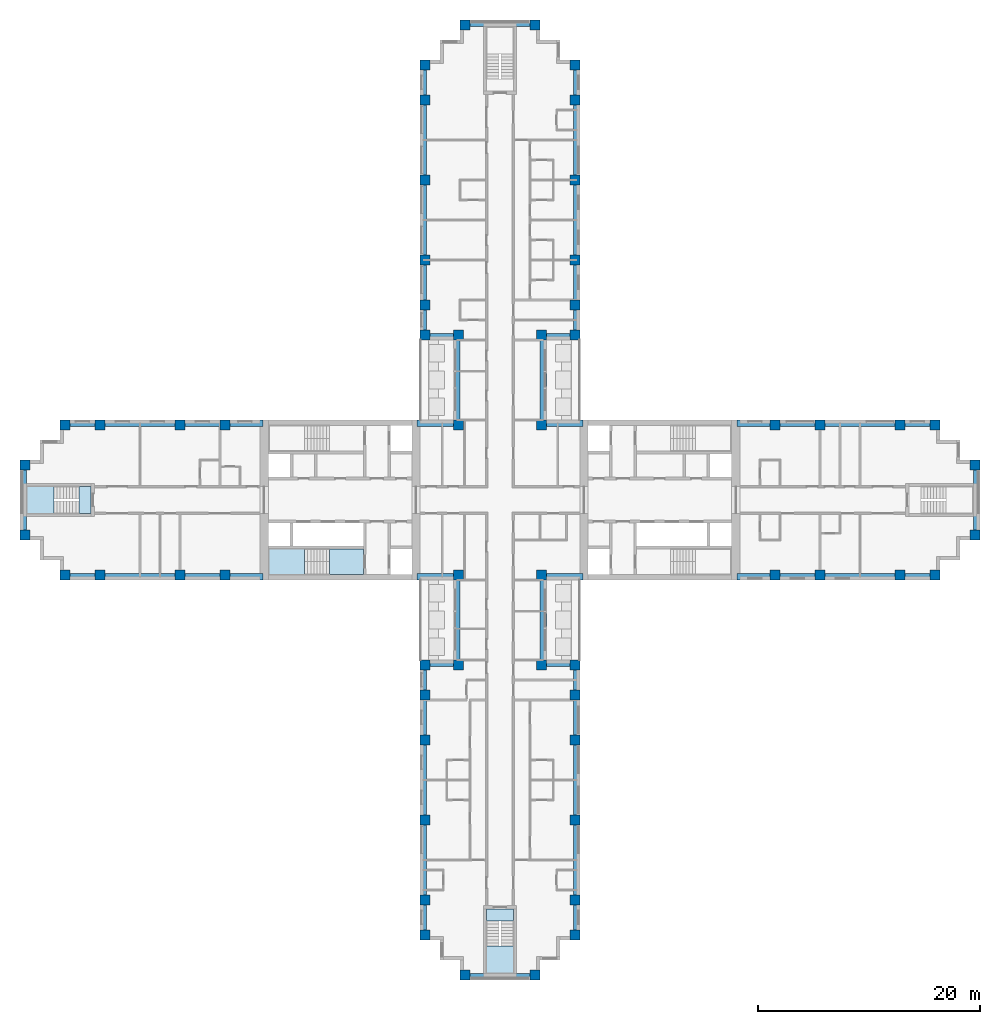
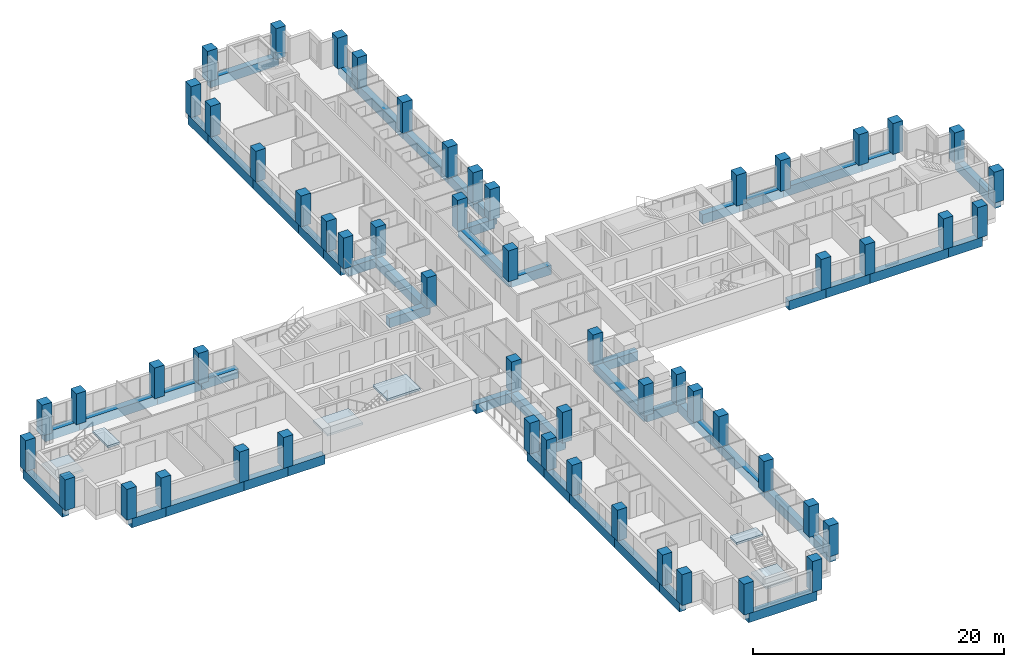
# One storey, part 1 of 15: 56 columns, 52 beams, 6 slabs, 3 elements without a shape of their own.
"""IFC4 building model written with IfcOpenShell, lengths in metres."""

from ifc_helpers import new_model, si_unit, direction, frame, origin, origin_2d, place, context, subcontext, project, spatial, polyline, rectangle, outline, extrude, material, layer, layer_set, material_profile, profile_set, type_object, element, aggregate, save


model = new_model("IFC4")

# Units and contexts
model_context = context("Model", 3, precision=1e-05, world=origin(), true_north=direction((0.0, 1.0)))
body_context = subcontext(model_context, "Body", "Model", "MODEL_VIEW")
ifc_project = project(units=[si_unit("LENGTHUNIT", "METRE"), si_unit("AREAUNIT", "SQUARE_METRE"), si_unit("VOLUMEUNIT", "CUBIC_METRE"), si_unit("PLANEANGLEUNIT", "RADIAN"), si_unit("MASSUNIT", "GRAM", prefix="KILO")], contexts=[model_context])

# Site, building, storey
site_placement = place(None, origin())
site = spatial("IfcSite", under=ifc_project, at=site_placement, CompositionType="ELEMENT")
building_placement = place(site_placement, origin())
building = spatial("IfcBuilding", under=site, at=building_placement, Name="Fustian Cross Tower", CompositionType="ELEMENT")
storey_placement = place(building_placement, frame((0.0, 0.0, 53.699951171875)))
storey = spatial("IfcBuildingStorey", under=building, at=storey_placement, Name="L16", CompositionType="ELEMENT", Elevation=53.699951171875)

# Columns
ifc_material_1 = material(Name="Concrete C70/85", Category="concrete")
ifc_material_profile_1 = material_profile(ifc_material_1, rectangle(XDim=0.89990234375, YDim=0.89990234375, at=origin_2d()), Name="RC 900x900")
ifc_profile_set_1 = profile_set([ifc_material_profile_1], Name="Concrete C70/85")
column_type = type_object("IfcColumnType", Name="COLUMN RC 900x900 C70/85", PredefinedType="COLUMN", material=ifc_profile_set_1)
for number, where, z_axis, x_axis, name in (
    (1, (-42.75, -3.14990234375, 0.0), (0.0, 0.0, 1.0), (1.0, 0.0, 0.0), "COLUMN 001"),
    (2, (-42.75, 3.14990234375, 0.0), (0.0, 0.0, 1.0), (1.0, 0.0, 0.0), "COLUMN 002"),
    (3, (-39.14990234375, -6.75, 0.0), (0.0, 0.0, 1.0), (1.0, 0.0, 0.0), "COLUMN 003"),
    (4, (-39.14990234375, 6.75, 0.0), (0.0, 0.0, 1.0), (1.0, 0.0, 0.0), "COLUMN 004"),
    (5, (-36.0, -6.75, 0.0), (0.0, 0.0, 1.0), (1.0, 0.0, 0.0), "COLUMN 005"),
    (6, (-36.0, 6.75, 0.0), (0.0, 0.0, 1.0), (1.0, 0.0, 0.0), "COLUMN 006"),
    (7, (-28.800048828125, -6.75, 0.0), (0.0, 0.0, 1.0), (1.0, 0.0, 0.0), "COLUMN 007"),
    (8, (-28.800048828125, 6.75, 0.0), (0.0, 0.0, 1.0), (1.0, 0.0, 0.0), "COLUMN 010"),
    (9, (-24.75, -6.75, 0.0), (0.0, 0.0, 1.0), (1.0, 0.0, 0.0), "COLUMN 011"),
    (10, (-24.75, 6.75, 0.0), (0.0, 0.0, 1.0), (1.0, 0.0, 0.0), "COLUMN 012"),
    (11, (-6.75, -39.14990234375, 0.0), (0.0, 0.0, 1.0), (1.0, 0.0, 0.0), "COLUMN 013"),
    (12, (-6.75, -36.0, 0.0), (0.0, 0.0, 1.0), (1.0, 0.0, 0.0), "COLUMN 014"),
    (13, (-6.75, -28.800048828125, 0.0), (0.0, 0.0, 1.0), (1.0, 0.0, 0.0), "COLUMN 015"),
    (14, (-6.75, -21.60009765625, 0.0), (0.0, 0.0, 1.0), (1.0, 0.0, 0.0), "COLUMN 016"),
    (15, (-6.75, -17.550048828125, 0.0), (0.0, 0.0, 1.0), (1.0, 0.0, 0.0), "COLUMN 017"),
    (16, (-6.75, -14.85009765625, 0.0), (0.0, 0.0, 1.0), (1.0, 0.0, 0.0), "COLUMN 018"),
    (17, (-6.75, 14.85009765625, 0.0), (0.0, 0.0, 1.0), (1.0, 0.0, 0.0), "COLUMN 019"),
    (18, (-6.75, 17.550048828125, 0.0), (0.0, 0.0, 1.0), (1.0, 0.0, 0.0), "COLUMN 020"),
    (19, (-6.75, 21.60009765625, 0.0), (0.0, 0.0, 1.0), (1.0, 0.0, 0.0), "COLUMN 021"),
    (20, (-6.75, 28.800048828125, 0.0), (0.0, 0.0, 1.0), (1.0, 0.0, 0.0), "COLUMN 022"),
    (21, (-6.75, 36.0, 0.0), (0.0, 0.0, 1.0), (1.0, 0.0, 0.0), "COLUMN 023"),
    (22, (-6.75, 39.14990234375, 0.0), (0.0, 0.0, 1.0), (1.0, 0.0, 0.0), "COLUMN 024"),
    (23, (-3.75, -14.85009765625, 0.0), (0.0, 0.0, 1.0), (1.0, 0.0, 0.0), "COLUMN 025"),
    (24, (-3.75, -6.75, 0.0), (0.0, 0.0, 1.0), (1.0, 0.0, 0.0), "COLUMN 026"),
    (25, (-3.75, 6.75, 0.0), (0.0, 0.0, 1.0), (1.0, 0.0, 0.0), "COLUMN 027"),
    (26, (-3.75, 14.85009765625, 0.0), (0.0, 0.0, 1.0), (1.0, 0.0, 0.0), "COLUMN 028"),
    (27, (-3.14990234375, -42.75, 0.0), (0.0, 0.0, 1.0), (1.0, 0.0, 0.0), "COLUMN 029"),
    (28, (-3.14990234375, 42.75, 0.0), (0.0, 0.0, 1.0), (1.0, 0.0, 0.0), "COLUMN 032"),
    (29, (3.14990234375, -42.75, 0.0), (0.0, 0.0, 1.0), (1.0, 0.0, 0.0), "COLUMN 033"),
    (30, (3.14990234375, 42.75, 0.0), (0.0, 0.0, 1.0), (1.0, 0.0, 0.0), "COLUMN 036"),
    (31, (3.75, -14.85009765625, 0.0), (0.0, 0.0, 1.0), (1.0, 0.0, 0.0), "COLUMN 037"),
    (32, (3.75, -6.75, 0.0), (0.0, 0.0, 1.0), (1.0, 0.0, 0.0), "COLUMN 038"),
    (33, (3.75, 6.75, 0.0), (0.0, 0.0, 1.0), (1.0, 0.0, 0.0), "COLUMN 039"),
    (34, (3.75, 14.85009765625, 0.0), (0.0, 0.0, 1.0), (1.0, 0.0, 0.0), "COLUMN 040"),
    (35, (6.75, -39.14990234375, 0.0), (0.0, 0.0, 1.0), (1.0, 0.0, 0.0), "COLUMN 041"),
    (36, (6.75, -36.0, 0.0), (0.0, 0.0, 1.0), (1.0, 0.0, 0.0), "COLUMN 042"),
    (37, (6.75, -28.800048828125, 0.0), (0.0, 0.0, 1.0), (1.0, 0.0, 0.0), "COLUMN 043"),
    (38, (6.75, -21.60009765625, 0.0), (0.0, 0.0, 1.0), (1.0, 0.0, 0.0), "COLUMN 044"),
    (39, (6.75, -17.550048828125, 0.0), (0.0, 0.0, 1.0), (1.0, 0.0, 0.0), "COLUMN 045"),
    (40, (6.75, -14.85009765625, 0.0), (0.0, 0.0, 1.0), (1.0, 0.0, 0.0), "COLUMN 046"),
    (41, (6.75, 14.85009765625, 0.0), (0.0, 0.0, 1.0), (1.0, 0.0, 0.0), "COLUMN 047"),
    (42, (6.75, 17.550048828125, 0.0), (0.0, 0.0, 1.0), (1.0, 0.0, 0.0), "COLUMN 048"),
    (43, (6.75, 21.60009765625, 0.0), (0.0, 0.0, 1.0), (1.0, 0.0, 0.0), "COLUMN 049"),
    (44, (6.75, 28.800048828125, 0.0), (0.0, 0.0, 1.0), (1.0, 0.0, 0.0), "COLUMN 050"),
    (45, (6.75, 36.0, 0.0), (0.0, 0.0, 1.0), (1.0, 0.0, 0.0), "COLUMN 051"),
    (46, (6.75, 39.14990234375, 0.0), (0.0, 0.0, 1.0), (1.0, 0.0, 0.0), "COLUMN 052"),
    (47, (24.75, -6.75, 0.0), (0.0, 0.0, 1.0), (1.0, 0.0, 0.0), "COLUMN 053"),
    (48, (24.75, 6.75, 0.0), (0.0, 0.0, 1.0), (1.0, 0.0, 0.0), "COLUMN 054"),
    (49, (28.800048828125, -6.75, 0.0), (0.0, 0.0, 1.0), (1.0, 0.0, 0.0), "COLUMN 055"),
    (50, (28.800048828125, 6.75, 0.0), (0.0, 0.0, 1.0), (1.0, 0.0, 0.0), "COLUMN 058"),
    (51, (36.0, -6.75, 0.0), (0.0, 0.0, 1.0), (1.0, 0.0, 0.0), "COLUMN 059"),
    (52, (36.0, 6.75, 0.0), (0.0, 0.0, 1.0), (1.0, 0.0, 0.0), "COLUMN 060"),
    (53, (39.14990234375, -6.75, 0.0), (0.0, 0.0, 1.0), (1.0, 0.0, 0.0), "COLUMN 061"),
    (54, (39.14990234375, 6.75, 0.0), (0.0, 0.0, 1.0), (1.0, 0.0, 0.0), "COLUMN 062"),
    (55, (42.75, -3.14990234375, 0.0), (0.0, 0.0, 1.0), (1.0, 0.0, 0.0), "COLUMN 063"),
    (56, (42.75, 3.14990234375, 0.0), (0.0, 0.0, 1.0), (1.0, 0.0, 0.0), "COLUMN 064"),
):
    element("IfcColumn", number, at=place(storey_placement, frame(where, z_axis=z_axis, x_axis=x_axis)), inside=storey, type_object=column_type, Name=name, PredefinedType="COLUMN", context=body_context, shape_type="SweptSolid", body=[
        extrude(rectangle(XDim=0.89990234375, YDim=0.89990234375, at=origin_2d()), origin(), (0.0, 0.0, 1.0), 3.0),
    ])

# Beams
ifc_material_2 = material(Name="Concrete C50/60", Category="concrete")
ifc_material_profile_2 = material_profile(ifc_material_2, rectangle(XDim=0.60009765625, YDim=0.89990234375, at=origin_2d()), Name="RC 600x900")
ifc_profile_set_2 = profile_set([ifc_material_profile_2], Name="Concrete C50/60")
beam_type = type_object("IfcBeamType", Name="EDGE BEAM RC 600x900 C50/60", PredefinedType="SPANDREL", material=ifc_profile_set_2)
beam_1_placement = place(storey_placement, frame((21.35009765625, -6.89990234375, -0.449951171875), z_axis=(1.0, 0.0, 0.0), x_axis=(0.0, 1.0, 0.0)))
element("IfcBeam", 57, at=beam_1_placement, inside=storey, type_object=beam_type, Name="EDGE BEAM L16-01", PredefinedType="SPANDREL", context=body_context, shape_type="SweptSolid", body=[
    extrude(rectangle(XDim=0.60009765625, YDim=0.89990234375, at=origin_2d()), origin(), (0.0, 0.0, 1.0), 3.39990234375),
])
beam_2_placement = place(storey_placement, frame((24.75, -6.89990234375, -0.449951171875), z_axis=(1.0, 0.0, 0.0), x_axis=(0.0, 1.0, 0.0)))
element("IfcBeam", 58, at=beam_2_placement, inside=storey, type_object=beam_type, Name="EDGE BEAM L16-02", PredefinedType="SPANDREL", context=body_context, shape_type="SweptSolid", body=[
    extrude(rectangle(XDim=0.60009765625, YDim=0.89990234375, at=origin_2d()), origin(), (0.0, 0.0, 1.0), 4.050048828125),
])
beam_3_placement = place(storey_placement, frame((28.800048828125, -6.89990234375, -0.449951171875), z_axis=(1.0, 0.0, 0.0), x_axis=(0.0, 1.0, 0.0)))
element("IfcBeam", 59, at=beam_3_placement, inside=storey, type_object=beam_type, Name="EDGE BEAM L16-03", PredefinedType="SPANDREL", context=body_context, shape_type="SweptSolid", body=[
    extrude(rectangle(XDim=0.60009765625, YDim=0.89990234375, at=origin_2d()), origin(), (0.0, 0.0, 1.0), 7.199951171875),
])
beam_4_placement = place(storey_placement, frame((36.0, -6.89990234375, -0.449951171875), z_axis=(1.0, 0.0, 0.0), x_axis=(0.0, 1.0, 0.0)))
element("IfcBeam", 60, at=beam_4_placement, inside=storey, type_object=beam_type, Name="EDGE BEAM L16-04", PredefinedType="SPANDREL", context=body_context, shape_type="SweptSolid", body=[
    extrude(rectangle(XDim=0.60009765625, YDim=0.89990234375, at=origin_2d()), origin(), (0.0, 0.0, 1.0), 3.14990234375),
])
beam_5_placement = place(storey_placement, frame((42.89990234375, -3.14990234375, -0.449951171875), z_axis=(0.0, 1.0, 0.0), x_axis=(-1.0, 0.0, 0.0)))
element("IfcBeam", 61, at=beam_5_placement, inside=storey, type_object=beam_type, Name="EDGE BEAM L16-05", PredefinedType="SPANDREL", context=body_context, shape_type="SweptSolid", body=[
    extrude(rectangle(XDim=0.60009765625, YDim=0.89990234375, at=origin_2d()), origin(), (0.0, 0.0, 1.0), 6.2998046875),
])
beam_6_placement = place(storey_placement, frame((39.14990234375, 6.89990234375, -0.449951171875), z_axis=(-1.0, 0.0, 0.0), x_axis=(0.0, -1.0, 0.0)))
element("IfcBeam", 62, at=beam_6_placement, inside=storey, type_object=beam_type, Name="EDGE BEAM L16-06", PredefinedType="SPANDREL", context=body_context, shape_type="SweptSolid", body=[
    extrude(rectangle(XDim=0.60009765625, YDim=0.89990234375, at=origin_2d()), origin(), (0.0, 0.0, 1.0), 3.14990234375),
])
beam_7_placement = place(storey_placement, frame((36.0, 6.89990234375, -0.449951171875), z_axis=(-1.0, 0.0, 0.0), x_axis=(0.0, -1.0, 0.0)))
element("IfcBeam", 63, at=beam_7_placement, inside=storey, type_object=beam_type, Name="EDGE BEAM L16-07", PredefinedType="SPANDREL", context=body_context, shape_type="SweptSolid", body=[
    extrude(rectangle(XDim=0.60009765625, YDim=0.89990234375, at=origin_2d()), origin(), (0.0, 0.0, 1.0), 7.199951171875),
])
beam_8_placement = place(storey_placement, frame((28.800048828125, 6.89990234375, -0.449951171875), z_axis=(-1.0, 0.0, 0.0), x_axis=(0.0, -1.0, 0.0)))
element("IfcBeam", 64, at=beam_8_placement, inside=storey, type_object=beam_type, Name="EDGE BEAM L16-08", PredefinedType="SPANDREL", context=body_context, shape_type="SweptSolid", body=[
    extrude(rectangle(XDim=0.60009765625, YDim=0.89990234375, at=origin_2d()), origin(), (0.0, 0.0, 1.0), 4.050048828125),
])
beam_9_placement = place(storey_placement, frame((24.75, 6.89990234375, -0.449951171875), z_axis=(-1.0, 0.0, 0.0), x_axis=(0.0, -1.0, 0.0)))
element("IfcBeam", 65, at=beam_9_placement, inside=storey, type_object=beam_type, Name="EDGE BEAM L16-09", PredefinedType="SPANDREL", context=body_context, shape_type="SweptSolid", body=[
    extrude(rectangle(XDim=0.60009765625, YDim=0.89990234375, at=origin_2d()), origin(), (0.0, 0.0, 1.0), 3.39990234375),
])
beam_10_placement = place(storey_placement, frame((7.449951171875, 6.89990234375, -0.449951171875), z_axis=(-1.0, 0.0, 0.0), x_axis=(0.0, -1.0, 0.0)))
element("IfcBeam", 66, at=beam_10_placement, inside=storey, type_object=beam_type, Name="EDGE BEAM L16-10", PredefinedType="SPANDREL", context=body_context, shape_type="SweptSolid", body=[
    extrude(rectangle(XDim=0.60009765625, YDim=0.89990234375, at=origin_2d()), origin(), (0.0, 0.0, 1.0), 3.699951171875),
])
beam_11_placement = place(storey_placement, frame((3.89990234375, 6.75, -0.449951171875), z_axis=(0.0, 1.0, 0.0), x_axis=(-1.0, 0.0, 0.0)))
element("IfcBeam", 67, at=beam_11_placement, inside=storey, type_object=beam_type, Name="EDGE BEAM L16-11", PredefinedType="SPANDREL", context=body_context, shape_type="SweptSolid", body=[
    extrude(rectangle(XDim=0.60009765625, YDim=0.89990234375, at=origin_2d()), origin(), (0.0, 0.0, 1.0), 8.10009765625),
])
beam_12_placement = place(storey_placement, frame((3.75, 14.699951171875, -0.449951171875), z_axis=(1.0, 0.0, 0.0), x_axis=(0.0, 1.0, 0.0)))
element("IfcBeam", 68, at=beam_12_placement, inside=storey, type_object=beam_type, Name="EDGE BEAM L16-12", PredefinedType="SPANDREL", context=body_context, shape_type="SweptSolid", body=[
    extrude(rectangle(XDim=0.60009765625, YDim=0.89990234375, at=origin_2d()), origin(), (0.0, 0.0, 1.0), 3.0),
])
beam_13_placement = place(storey_placement, frame((6.89990234375, 14.85009765625, -0.449951171875), z_axis=(0.0, 1.0, 0.0), x_axis=(-1.0, 0.0, 0.0)))
element("IfcBeam", 69, at=beam_13_placement, inside=storey, type_object=beam_type, Name="EDGE BEAM L16-13", PredefinedType="SPANDREL", context=body_context, shape_type="SweptSolid", body=[
    extrude(rectangle(XDim=0.60009765625, YDim=0.89990234375, at=origin_2d()), origin(), (0.0, 0.0, 1.0), 2.699951171875),
])
beam_14_placement = place(storey_placement, frame((6.89990234375, 17.550048828125, -0.449951171875), z_axis=(0.0, 1.0, 0.0), x_axis=(-1.0, 0.0, 0.0)))
element("IfcBeam", 70, at=beam_14_placement, inside=storey, type_object=beam_type, Name="EDGE BEAM L16-14", PredefinedType="SPANDREL", context=body_context, shape_type="SweptSolid", body=[
    extrude(rectangle(XDim=0.60009765625, YDim=0.89990234375, at=origin_2d()), origin(), (0.0, 0.0, 1.0), 4.050048828125),
])
for number, where, z_axis, x_axis, name in (
    (71, (6.89990234375, 21.60009765625, -0.449951171875), (0.0, 1.0, 0.0), (-1.0, 0.0, 0.0), "EDGE BEAM L16-15"),
    (72, (6.89990234375, 28.800048828125, -0.449951171875), (0.0, 1.0, 0.0), (-1.0, 0.0, 0.0), "EDGE BEAM L16-16"),
):
    element("IfcBeam", number, at=place(storey_placement, frame(where, z_axis=z_axis, x_axis=x_axis)), inside=storey, type_object=beam_type, Name=name, PredefinedType="SPANDREL", context=body_context, shape_type="SweptSolid", body=[
        extrude(rectangle(XDim=0.60009765625, YDim=0.89990234375, at=origin_2d()), origin(), (0.0, 0.0, 1.0), 7.199951171875),
    ])
beam_15_placement = place(storey_placement, frame((6.89990234375, 36.0, -0.449951171875), z_axis=(0.0, 1.0, 0.0), x_axis=(-1.0, 0.0, 0.0)))
element("IfcBeam", 73, at=beam_15_placement, inside=storey, type_object=beam_type, Name="EDGE BEAM L16-17", PredefinedType="SPANDREL", context=body_context, shape_type="SweptSolid", body=[
    extrude(rectangle(XDim=0.60009765625, YDim=0.89990234375, at=origin_2d()), origin(), (0.0, 0.0, 1.0), 3.14990234375),
])
beam_16_placement = place(storey_placement, frame((3.14990234375, 42.89990234375, -0.449951171875), z_axis=(-1.0, 0.0, 0.0), x_axis=(0.0, -1.0, 0.0)))
element("IfcBeam", 74, at=beam_16_placement, inside=storey, type_object=beam_type, Name="EDGE BEAM L16-18", PredefinedType="SPANDREL", context=body_context, shape_type="SweptSolid", body=[
    extrude(rectangle(XDim=0.60009765625, YDim=0.89990234375, at=origin_2d()), origin(), (0.0, 0.0, 1.0), 6.2998046875),
])
beam_17_placement = place(storey_placement, frame((-6.89990234375, 39.14990234375, -0.449951171875), z_axis=(0.0, -1.0, 0.0), x_axis=(1.0, 0.0, 0.0)))
element("IfcBeam", 75, at=beam_17_placement, inside=storey, type_object=beam_type, Name="EDGE BEAM L16-19", PredefinedType="SPANDREL", context=body_context, shape_type="SweptSolid", body=[
    extrude(rectangle(XDim=0.60009765625, YDim=0.89990234375, at=origin_2d()), origin(), (0.0, 0.0, 1.0), 3.14990234375),
])
for number, where, z_axis, x_axis, name in (
    (76, (-6.89990234375, 36.0, -0.449951171875), (0.0, -1.0, 0.0), (1.0, 0.0, 0.0), "EDGE BEAM L16-20"),
    (77, (-6.89990234375, 28.800048828125, -0.449951171875), (0.0, -1.0, 0.0), (1.0, 0.0, 0.0), "EDGE BEAM L16-21"),
):
    element("IfcBeam", number, at=place(storey_placement, frame(where, z_axis=z_axis, x_axis=x_axis)), inside=storey, type_object=beam_type, Name=name, PredefinedType="SPANDREL", context=body_context, shape_type="SweptSolid", body=[
        extrude(rectangle(XDim=0.60009765625, YDim=0.89990234375, at=origin_2d()), origin(), (0.0, 0.0, 1.0), 7.199951171875),
    ])
beam_18_placement = place(storey_placement, frame((-6.89990234375, 21.60009765625, -0.449951171875), z_axis=(0.0, -1.0, 0.0), x_axis=(1.0, 0.0, 0.0)))
element("IfcBeam", 78, at=beam_18_placement, inside=storey, type_object=beam_type, Name="EDGE BEAM L16-22", PredefinedType="SPANDREL", context=body_context, shape_type="SweptSolid", body=[
    extrude(rectangle(XDim=0.60009765625, YDim=0.89990234375, at=origin_2d()), origin(), (0.0, 0.0, 1.0), 4.050048828125),
])
beam_19_placement = place(storey_placement, frame((-6.89990234375, 17.550048828125, -0.449951171875), z_axis=(0.0, -1.0, 0.0), x_axis=(1.0, 0.0, 0.0)))
element("IfcBeam", 79, at=beam_19_placement, inside=storey, type_object=beam_type, Name="EDGE BEAM L16-23", PredefinedType="SPANDREL", context=body_context, shape_type="SweptSolid", body=[
    extrude(rectangle(XDim=0.60009765625, YDim=0.89990234375, at=origin_2d()), origin(), (0.0, 0.0, 1.0), 2.699951171875),
])
beam_20_placement = place(storey_placement, frame((-6.75, 14.699951171875, -0.449951171875), z_axis=(1.0, 0.0, 0.0), x_axis=(0.0, 1.0, 0.0)))
element("IfcBeam", 80, at=beam_20_placement, inside=storey, type_object=beam_type, Name="EDGE BEAM L16-24", PredefinedType="SPANDREL", context=body_context, shape_type="SweptSolid", body=[
    extrude(rectangle(XDim=0.60009765625, YDim=0.89990234375, at=origin_2d()), origin(), (0.0, 0.0, 1.0), 3.0),
])
beam_21_placement = place(storey_placement, frame((-3.89990234375, 14.85009765625, -0.449951171875), z_axis=(0.0, -1.0, 0.0), x_axis=(1.0, 0.0, 0.0)))
element("IfcBeam", 81, at=beam_21_placement, inside=storey, type_object=beam_type, Name="EDGE BEAM L16-25", PredefinedType="SPANDREL", context=body_context, shape_type="SweptSolid", body=[
    extrude(rectangle(XDim=0.60009765625, YDim=0.89990234375, at=origin_2d()), origin(), (0.0, 0.0, 1.0), 8.10009765625),
])
beam_22_placement = place(storey_placement, frame((-3.75, 6.89990234375, -0.449951171875), z_axis=(-1.0, 0.0, 0.0), x_axis=(0.0, -1.0, 0.0)))
element("IfcBeam", 82, at=beam_22_placement, inside=storey, type_object=beam_type, Name="EDGE BEAM L16-26", PredefinedType="SPANDREL", context=body_context, shape_type="SweptSolid", body=[
    extrude(rectangle(XDim=0.60009765625, YDim=0.89990234375, at=origin_2d()), origin(), (0.0, 0.0, 1.0), 3.699951171875),
])
beam_23_placement = place(storey_placement, frame((-21.35009765625, 6.89990234375, -0.449951171875), z_axis=(-1.0, 0.0, 0.0), x_axis=(0.0, -1.0, 0.0)))
element("IfcBeam", 83, at=beam_23_placement, inside=storey, type_object=beam_type, Name="EDGE BEAM L16-27", PredefinedType="SPANDREL", context=body_context, shape_type="SweptSolid", body=[
    extrude(rectangle(XDim=0.60009765625, YDim=0.89990234375, at=origin_2d()), origin(), (0.0, 0.0, 1.0), 3.39990234375),
])
beam_24_placement = place(storey_placement, frame((-24.75, 6.89990234375, -0.449951171875), z_axis=(-1.0, 0.0, 0.0), x_axis=(0.0, -1.0, 0.0)))
element("IfcBeam", 84, at=beam_24_placement, inside=storey, type_object=beam_type, Name="EDGE BEAM L16-28", PredefinedType="SPANDREL", context=body_context, shape_type="SweptSolid", body=[
    extrude(rectangle(XDim=0.60009765625, YDim=0.89990234375, at=origin_2d()), origin(), (0.0, 0.0, 1.0), 4.050048828125),
])
beam_25_placement = place(storey_placement, frame((-28.800048828125, 6.89990234375, -0.449951171875), z_axis=(-1.0, 0.0, 0.0), x_axis=(0.0, -1.0, 0.0)))
element("IfcBeam", 85, at=beam_25_placement, inside=storey, type_object=beam_type, Name="EDGE BEAM L16-29", PredefinedType="SPANDREL", context=body_context, shape_type="SweptSolid", body=[
    extrude(rectangle(XDim=0.60009765625, YDim=0.89990234375, at=origin_2d()), origin(), (0.0, 0.0, 1.0), 7.199951171875),
])
beam_26_placement = place(storey_placement, frame((-36.0, 6.89990234375, -0.449951171875), z_axis=(-1.0, 0.0, 0.0), x_axis=(0.0, -1.0, 0.0)))
element("IfcBeam", 86, at=beam_26_placement, inside=storey, type_object=beam_type, Name="EDGE BEAM L16-30", PredefinedType="SPANDREL", context=body_context, shape_type="SweptSolid", body=[
    extrude(rectangle(XDim=0.60009765625, YDim=0.89990234375, at=origin_2d()), origin(), (0.0, 0.0, 1.0), 3.14990234375),
])
beam_27_placement = place(storey_placement, frame((-42.89990234375, 3.14990234375, -0.449951171875), z_axis=(0.0, -1.0, 0.0), x_axis=(1.0, 0.0, 0.0)))
element("IfcBeam", 87, at=beam_27_placement, inside=storey, type_object=beam_type, Name="EDGE BEAM L16-31", PredefinedType="SPANDREL", context=body_context, shape_type="SweptSolid", body=[
    extrude(rectangle(XDim=0.60009765625, YDim=0.89990234375, at=origin_2d()), origin(), (0.0, 0.0, 1.0), 6.2998046875),
])
beam_28_placement = place(storey_placement, frame((-39.14990234375, -6.89990234375, -0.449951171875), z_axis=(1.0, 0.0, 0.0), x_axis=(0.0, 1.0, 0.0)))
element("IfcBeam", 88, at=beam_28_placement, inside=storey, type_object=beam_type, Name="EDGE BEAM L16-32", PredefinedType="SPANDREL", context=body_context, shape_type="SweptSolid", body=[
    extrude(rectangle(XDim=0.60009765625, YDim=0.89990234375, at=origin_2d()), origin(), (0.0, 0.0, 1.0), 3.14990234375),
])
beam_29_placement = place(storey_placement, frame((-36.0, -6.89990234375, -0.449951171875), z_axis=(1.0, 0.0, 0.0), x_axis=(0.0, 1.0, 0.0)))
element("IfcBeam", 89, at=beam_29_placement, inside=storey, type_object=beam_type, Name="EDGE BEAM L16-33", PredefinedType="SPANDREL", context=body_context, shape_type="SweptSolid", body=[
    extrude(rectangle(XDim=0.60009765625, YDim=0.89990234375, at=origin_2d()), origin(), (0.0, 0.0, 1.0), 7.199951171875),
])
beam_30_placement = place(storey_placement, frame((-28.800048828125, -6.89990234375, -0.449951171875), z_axis=(1.0, 0.0, 0.0), x_axis=(0.0, 1.0, 0.0)))
element("IfcBeam", 90, at=beam_30_placement, inside=storey, type_object=beam_type, Name="EDGE BEAM L16-34", PredefinedType="SPANDREL", context=body_context, shape_type="SweptSolid", body=[
    extrude(rectangle(XDim=0.60009765625, YDim=0.89990234375, at=origin_2d()), origin(), (0.0, 0.0, 1.0), 4.050048828125),
])
beam_31_placement = place(storey_placement, frame((-24.75, -6.89990234375, -0.449951171875), z_axis=(1.0, 0.0, 0.0), x_axis=(0.0, 1.0, 0.0)))
element("IfcBeam", 91, at=beam_31_placement, inside=storey, type_object=beam_type, Name="EDGE BEAM L16-35", PredefinedType="SPANDREL", context=body_context, shape_type="SweptSolid", body=[
    extrude(rectangle(XDim=0.60009765625, YDim=0.89990234375, at=origin_2d()), origin(), (0.0, 0.0, 1.0), 3.39990234375),
])
beam_32_placement = place(storey_placement, frame((-7.449951171875, -6.89990234375, -0.449951171875), z_axis=(1.0, 0.0, 0.0), x_axis=(0.0, 1.0, 0.0)))
element("IfcBeam", 92, at=beam_32_placement, inside=storey, type_object=beam_type, Name="EDGE BEAM L16-36", PredefinedType="SPANDREL", context=body_context, shape_type="SweptSolid", body=[
    extrude(rectangle(XDim=0.60009765625, YDim=0.89990234375, at=origin_2d()), origin(), (0.0, 0.0, 1.0), 3.699951171875),
])
beam_33_placement = place(storey_placement, frame((-3.89990234375, -6.75, -0.449951171875), z_axis=(0.0, -1.0, 0.0), x_axis=(1.0, 0.0, 0.0)))
element("IfcBeam", 93, at=beam_33_placement, inside=storey, type_object=beam_type, Name="EDGE BEAM L16-37", PredefinedType="SPANDREL", context=body_context, shape_type="SweptSolid", body=[
    extrude(rectangle(XDim=0.60009765625, YDim=0.89990234375, at=origin_2d()), origin(), (0.0, 0.0, 1.0), 8.10009765625),
])
beam_34_placement = place(storey_placement, frame((-3.75, -14.699951171875, -0.449951171875), z_axis=(-1.0, 0.0, 0.0), x_axis=(0.0, -1.0, 0.0)))
element("IfcBeam", 94, at=beam_34_placement, inside=storey, type_object=beam_type, Name="EDGE BEAM L16-38", PredefinedType="SPANDREL", context=body_context, shape_type="SweptSolid", body=[
    extrude(rectangle(XDim=0.60009765625, YDim=0.89990234375, at=origin_2d()), origin(), (0.0, 0.0, 1.0), 3.0),
])
beam_35_placement = place(storey_placement, frame((-6.89990234375, -14.85009765625, -0.449951171875), z_axis=(0.0, -1.0, 0.0), x_axis=(1.0, 0.0, 0.0)))
element("IfcBeam", 95, at=beam_35_placement, inside=storey, type_object=beam_type, Name="EDGE BEAM L16-39", PredefinedType="SPANDREL", context=body_context, shape_type="SweptSolid", body=[
    extrude(rectangle(XDim=0.60009765625, YDim=0.89990234375, at=origin_2d()), origin(), (0.0, 0.0, 1.0), 2.699951171875),
])
beam_36_placement = place(storey_placement, frame((-6.89990234375, -17.550048828125, -0.449951171875), z_axis=(0.0, -1.0, 0.0), x_axis=(1.0, 0.0, 0.0)))
element("IfcBeam", 96, at=beam_36_placement, inside=storey, type_object=beam_type, Name="EDGE BEAM L16-40", PredefinedType="SPANDREL", context=body_context, shape_type="SweptSolid", body=[
    extrude(rectangle(XDim=0.60009765625, YDim=0.89990234375, at=origin_2d()), origin(), (0.0, 0.0, 1.0), 4.050048828125),
])
for number, where, z_axis, x_axis, name in (
    (97, (-6.89990234375, -21.60009765625, -0.449951171875), (0.0, -1.0, 0.0), (1.0, 0.0, 0.0), "EDGE BEAM L16-41"),
    (98, (-6.89990234375, -28.800048828125, -0.449951171875), (0.0, -1.0, 0.0), (1.0, 0.0, 0.0), "EDGE BEAM L16-42"),
):
    element("IfcBeam", number, at=place(storey_placement, frame(where, z_axis=z_axis, x_axis=x_axis)), inside=storey, type_object=beam_type, Name=name, PredefinedType="SPANDREL", context=body_context, shape_type="SweptSolid", body=[
        extrude(rectangle(XDim=0.60009765625, YDim=0.89990234375, at=origin_2d()), origin(), (0.0, 0.0, 1.0), 7.199951171875),
    ])
beam_37_placement = place(storey_placement, frame((-6.89990234375, -36.0, -0.449951171875), z_axis=(0.0, -1.0, 0.0), x_axis=(1.0, 0.0, 0.0)))
element("IfcBeam", 99, at=beam_37_placement, inside=storey, type_object=beam_type, Name="EDGE BEAM L16-43", PredefinedType="SPANDREL", context=body_context, shape_type="SweptSolid", body=[
    extrude(rectangle(XDim=0.60009765625, YDim=0.89990234375, at=origin_2d()), origin(), (0.0, 0.0, 1.0), 3.14990234375),
])
beam_38_placement = place(storey_placement, frame((-3.14990234375, -42.89990234375, -0.449951171875), z_axis=(1.0, 0.0, 0.0), x_axis=(0.0, 1.0, 0.0)))
element("IfcBeam", 100, at=beam_38_placement, inside=storey, type_object=beam_type, Name="EDGE BEAM L16-44", PredefinedType="SPANDREL", context=body_context, shape_type="SweptSolid", body=[
    extrude(rectangle(XDim=0.60009765625, YDim=0.89990234375, at=origin_2d()), origin(), (0.0, 0.0, 1.0), 6.2998046875),
])
beam_39_placement = place(storey_placement, frame((6.89990234375, -39.14990234375, -0.449951171875), z_axis=(0.0, 1.0, 0.0), x_axis=(-1.0, 0.0, 0.0)))
element("IfcBeam", 101, at=beam_39_placement, inside=storey, type_object=beam_type, Name="EDGE BEAM L16-45", PredefinedType="SPANDREL", context=body_context, shape_type="SweptSolid", body=[
    extrude(rectangle(XDim=0.60009765625, YDim=0.89990234375, at=origin_2d()), origin(), (0.0, 0.0, 1.0), 3.14990234375),
])
for number, where, z_axis, x_axis, name in (
    (102, (6.89990234375, -36.0, -0.449951171875), (0.0, 1.0, 0.0), (-1.0, 0.0, 0.0), "EDGE BEAM L16-46"),
    (103, (6.89990234375, -28.800048828125, -0.449951171875), (0.0, 1.0, 0.0), (-1.0, 0.0, 0.0), "EDGE BEAM L16-47"),
):
    element("IfcBeam", number, at=place(storey_placement, frame(where, z_axis=z_axis, x_axis=x_axis)), inside=storey, type_object=beam_type, Name=name, PredefinedType="SPANDREL", context=body_context, shape_type="SweptSolid", body=[
        extrude(rectangle(XDim=0.60009765625, YDim=0.89990234375, at=origin_2d()), origin(), (0.0, 0.0, 1.0), 7.199951171875),
    ])
beam_40_placement = place(storey_placement, frame((6.89990234375, -21.60009765625, -0.449951171875), z_axis=(0.0, 1.0, 0.0), x_axis=(-1.0, 0.0, 0.0)))
element("IfcBeam", 104, at=beam_40_placement, inside=storey, type_object=beam_type, Name="EDGE BEAM L16-48", PredefinedType="SPANDREL", context=body_context, shape_type="SweptSolid", body=[
    extrude(rectangle(XDim=0.60009765625, YDim=0.89990234375, at=origin_2d()), origin(), (0.0, 0.0, 1.0), 4.050048828125),
])
beam_41_placement = place(storey_placement, frame((6.89990234375, -17.550048828125, -0.449951171875), z_axis=(0.0, 1.0, 0.0), x_axis=(-1.0, 0.0, 0.0)))
element("IfcBeam", 105, at=beam_41_placement, inside=storey, type_object=beam_type, Name="EDGE BEAM L16-49", PredefinedType="SPANDREL", context=body_context, shape_type="SweptSolid", body=[
    extrude(rectangle(XDim=0.60009765625, YDim=0.89990234375, at=origin_2d()), origin(), (0.0, 0.0, 1.0), 2.699951171875),
])
beam_42_placement = place(storey_placement, frame((6.75, -14.699951171875, -0.449951171875), z_axis=(-1.0, 0.0, 0.0), x_axis=(0.0, -1.0, 0.0)))
element("IfcBeam", 106, at=beam_42_placement, inside=storey, type_object=beam_type, Name="EDGE BEAM L16-50", PredefinedType="SPANDREL", context=body_context, shape_type="SweptSolid", body=[
    extrude(rectangle(XDim=0.60009765625, YDim=0.89990234375, at=origin_2d()), origin(), (0.0, 0.0, 1.0), 3.0),
])
beam_43_placement = place(storey_placement, frame((3.89990234375, -14.85009765625, -0.449951171875), z_axis=(0.0, 1.0, 0.0), x_axis=(-1.0, 0.0, 0.0)))
element("IfcBeam", 107, at=beam_43_placement, inside=storey, type_object=beam_type, Name="EDGE BEAM L16-51", PredefinedType="SPANDREL", context=body_context, shape_type="SweptSolid", body=[
    extrude(rectangle(XDim=0.60009765625, YDim=0.89990234375, at=origin_2d()), origin(), (0.0, 0.0, 1.0), 8.10009765625),
])
beam_44_placement = place(storey_placement, frame((3.75, -6.89990234375, -0.449951171875), z_axis=(1.0, 0.0, 0.0), x_axis=(0.0, 1.0, 0.0)))
element("IfcBeam", 108, at=beam_44_placement, inside=storey, type_object=beam_type, Name="EDGE BEAM L16-52", PredefinedType="SPANDREL", context=body_context, shape_type="SweptSolid", body=[
    extrude(rectangle(XDim=0.60009765625, YDim=0.89990234375, at=origin_2d()), origin(), (0.0, 0.0, 1.0), 3.699951171875),
])

# Stair, slabs
ifc_material_3 = material(Name="Concrete C50/60", Category="concrete")
stair_type_1 = type_object("IfcStairType", Name="STAIR 1150 HALF TURN", PredefinedType="HALF_TURN_STAIR", material=ifc_material_3)
stair_1_placement = place(storey_placement, origin())
stair_1 = element("IfcStair", 109, at=stair_1_placement, inside=storey, type_object=stair_type_1, Name="Stair ST4", PredefinedType="HALF_TURN_STAIR")
ifc_material_4 = material(Name="Concrete C50/60", Category="concrete")
ifc_layer = layer(ifc_material_4, 0.199951171875)
ifc_layer_set = layer_set([ifc_layer], Name="Concrete C50/60")
slab_type = type_object("IfcSlabType", Name="STAIR LANDING", PredefinedType="LANDING", material=ifc_layer_set)
slab_1_placement = place(storey_placement, frame((0.0, 0.0, 1.300048828125)))
slab_1 = element("IfcSlab", 110, at=slab_1_placement, type_object=slab_type, Name="ST4 landing 1", PredefinedType="LANDING", context=body_context, shape_type="SweptSolid", body=[
    extrude(outline(polyline([(-17.590087890625, -4.39990234375), (-20.85009765625, -4.39990234375), (-20.85009765625, -6.699951171875), (-17.590087890625, -6.699951171875), (-17.590087890625, -4.39990234375)])), origin(), (0.0, 0.0, 1.0), 0.199951171875),
])
slab_2_placement = place(storey_placement, frame((0.0, 0.0, 2.800048828125)))
slab_2 = element("IfcSlab", 111, at=slab_2_placement, type_object=slab_type, Name="ST4 landing 2", PredefinedType="LANDING", context=body_context, shape_type="SweptSolid", body=[
    extrude(outline(polyline([(-12.300048828125, -4.39990234375), (-15.35009765625, -4.39990234375), (-15.35009765625, -6.699951171875), (-12.300048828125, -6.699951171875), (-12.300048828125, -4.39990234375)])), origin(), (0.0, 0.0, 1.0), 0.199951171875),
])
aggregate(stair_1, [slab_1, slab_2])

ifc_material_5 = material(Name="Concrete C50/60", Category="concrete")
stair_type_2 = type_object("IfcStairType", Name="STAIR 1100 HALF TURN", PredefinedType="HALF_TURN_STAIR", material=ifc_material_5)
stair_2_placement = place(storey_placement, origin())
stair_2 = element("IfcStair", 112, at=stair_2_placement, inside=storey, type_object=stair_type_2, Name="Stair ST6", PredefinedType="HALF_TURN_STAIR")
slab_3_placement = place(storey_placement, frame((0.0, 0.0, 1.300048828125)))
slab_3 = element("IfcSlab", 113, at=slab_3_placement, type_object=slab_type, Name="ST6 landing 1", PredefinedType="LANDING", context=body_context, shape_type="SweptSolid", body=[
    extrude(outline(polyline([(-1.199951171875, -40.139892578125), (-1.199951171875, -42.60009765625), (1.199951171875, -42.60009765625), (1.199951171875, -40.139892578125), (-1.199951171875, -40.139892578125)])), origin(), (0.0, 0.0, 1.0), 0.199951171875),
])
slab_4_placement = place(storey_placement, frame((0.0, 0.0, 2.800048828125)))
slab_4 = element("IfcSlab", 114, at=slab_4_placement, type_object=slab_type, Name="ST6 landing 2", PredefinedType="LANDING", context=body_context, shape_type="SweptSolid", body=[
    extrude(outline(polyline([(-1.199951171875, -36.800048828125), (-1.199951171875, -37.89990234375), (1.199951171875, -37.89990234375), (1.199951171875, -36.800048828125), (-1.199951171875, -36.800048828125)])), origin(), (0.0, 0.0, 1.0), 0.199951171875),
])
aggregate(stair_2, [slab_3, slab_4])

stair_3_placement = place(storey_placement, origin())
stair_3 = element("IfcStair", 115, at=stair_3_placement, inside=storey, type_object=stair_type_2, Name="Stair ST9", PredefinedType="HALF_TURN_STAIR")
slab_5_placement = place(storey_placement, frame((0.0, 0.0, 1.300048828125)))
slab_5 = element("IfcSlab", 116, at=slab_5_placement, type_object=slab_type, Name="ST9 landing 1", PredefinedType="LANDING", context=body_context, shape_type="SweptSolid", body=[
    extrude(outline(polyline([(-40.139892578125, -1.199951171875), (-42.60009765625, -1.199951171875), (-42.60009765625, 1.199951171875), (-40.139892578125, 1.199951171875), (-40.139892578125, -1.199951171875)])), origin(), (0.0, 0.0, 1.0), 0.199951171875),
])
slab_6_placement = place(storey_placement, frame((0.0, 0.0, 2.800048828125)))
slab_6 = element("IfcSlab", 117, at=slab_6_placement, type_object=slab_type, Name="ST9 landing 2", PredefinedType="LANDING", context=body_context, shape_type="SweptSolid", body=[
    extrude(outline(polyline([(-36.800048828125, -1.199951171875), (-37.89990234375, -1.199951171875), (-37.89990234375, 1.199951171875), (-36.800048828125, 1.199951171875), (-36.800048828125, -1.199951171875)])), origin(), (0.0, 0.0, 1.0), 0.199951171875),
])
aggregate(stair_3, [slab_5, slab_6])

save(model, "model.ifc")
